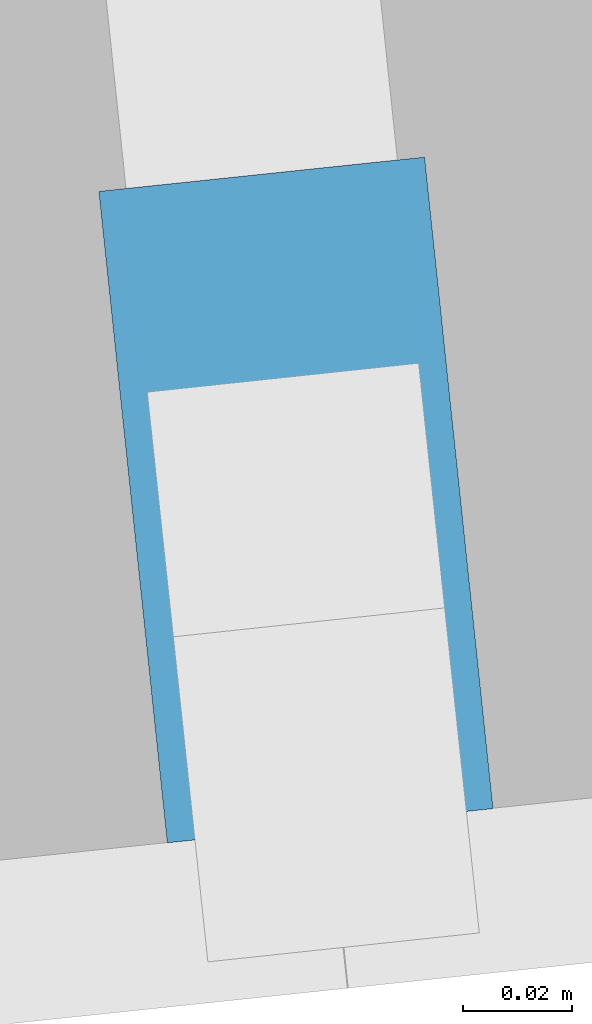
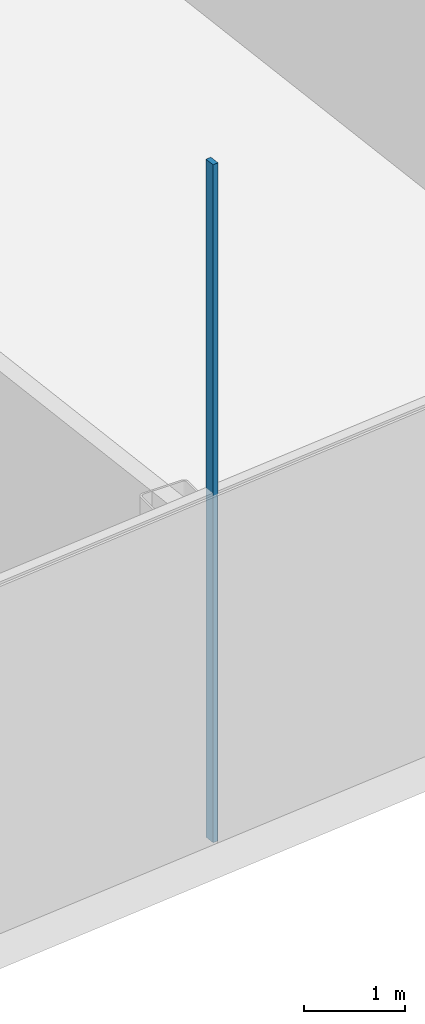
# One storey, part 6 of 41: 1 member, 1 element without a shape of its own.
"""IFC4 building model written with IfcOpenShell, lengths in metres."""

from ifc_helpers import new_model, si_unit, direction, frame, origin, origin_2d, place, context, subcontext, project, spatial, rectangle, extrude, material, layer, layer_set, material_profile, profile_set, type_object, element, aggregate, save


model = new_model("IFC4")

# Units and contexts
model_context = context("Model", 3, precision=1e-05, world=origin(), true_north=direction((0.0, 1.0)))
body_context = subcontext(model_context, "Body", "Model", "MODEL_VIEW")
ifc_project = project(units=[si_unit("LENGTHUNIT", "METRE"), si_unit("AREAUNIT", "SQUARE_METRE"), si_unit("VOLUMEUNIT", "CUBIC_METRE"), si_unit("PLANEANGLEUNIT", "RADIAN"), si_unit("MASSUNIT", "GRAM", prefix="KILO")], contexts=[model_context])

# Site, building, storey
site_placement = place(None, origin())
site = spatial("IfcSite", under=ifc_project, at=site_placement, CompositionType="ELEMENT")
building_placement = place(site_placement, origin())
building = spatial("IfcBuilding", under=site, at=building_placement, Name="Hakoniwa Tower and Hamabe Station Hall", CompositionType="ELEMENT")
storey_placement = place(building_placement, frame((0.0, 0.0, 276.60009765625)))
storey = spatial("IfcBuildingStorey", under=building, at=storey_placement, Name="L77", CompositionType="ELEMENT", Elevation=276.60009765625)

# Curtain wall, member
ifc_material_1 = material(Name="Dark low-e laminated glass", Category="glass")
ifc_layer = layer(ifc_material_1, 0.199951171875)
ifc_layer_set = layer_set([ifc_layer], Name="CW-4 CROWN FACETS")
curtain_wall_type = type_object("IfcCurtainWallType", Name="CW-4 CROWN FACETS", PredefinedType="NOTDEFINED", material=ifc_layer_set)
curtain_wall_placement = place(storey_placement, origin())
curtain_wall = element("IfcCurtainWall", 1, at=curtain_wall_placement, inside=storey, type_object=curtain_wall_type, Name="Crown skirt facet L77", PredefinedType="NOTDEFINED")
ifc_material_2 = material(Name="Aluminium 6063-T5 black anodised", Category="aluminium")
ifc_material_profile = material_profile(ifc_material_2, rectangle(XDim=0.06005859375, YDim=0.1201171875, at=origin_2d()), Name="CW-4 GLAZING BAR 60X120")
ifc_profile_set = profile_set([ifc_material_profile], Name="Aluminium 6063-T5 black anodised")
member_type = type_object("IfcMemberType", Name="CW-4 GLAZING BAR 60X120", PredefinedType="MULLION", material=ifc_profile_set)
member_placement = place(storey_placement, frame((1.798828125, -14.61572265625, 0.0), z_axis=(0.0, 0.0, 1.0), x_axis=(-0.994521896233, -0.10452845504, 0.0)))
member = element("IfcMember", 2, at=member_placement, type_object=member_type, Name="Crown glazing bar", PredefinedType="MULLION", context=body_context, shape_type="SweptSolid", body=[
    extrude(rectangle(XDim=0.06005859375, YDim=0.1201171875, at=origin_2d()), origin(), (0.0, 0.0, 1.0), 8.199951171875),
])
aggregate(curtain_wall, [member])

save(model, "model.ifc")
